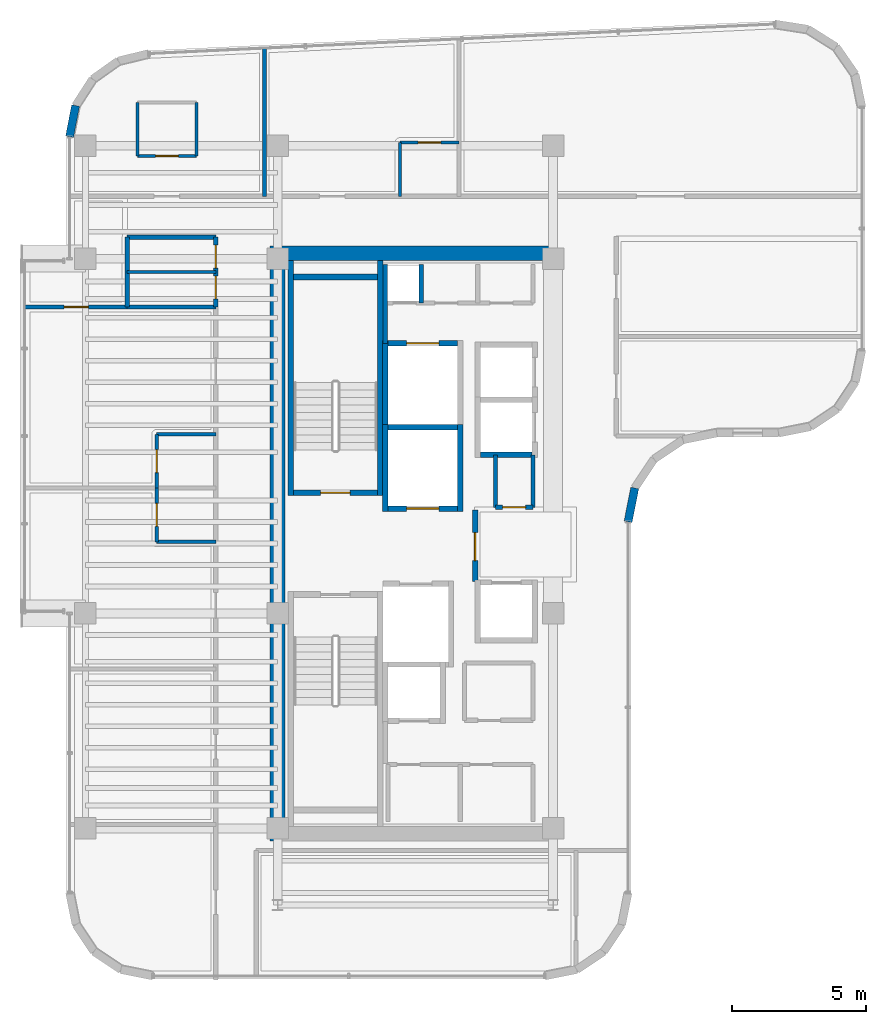
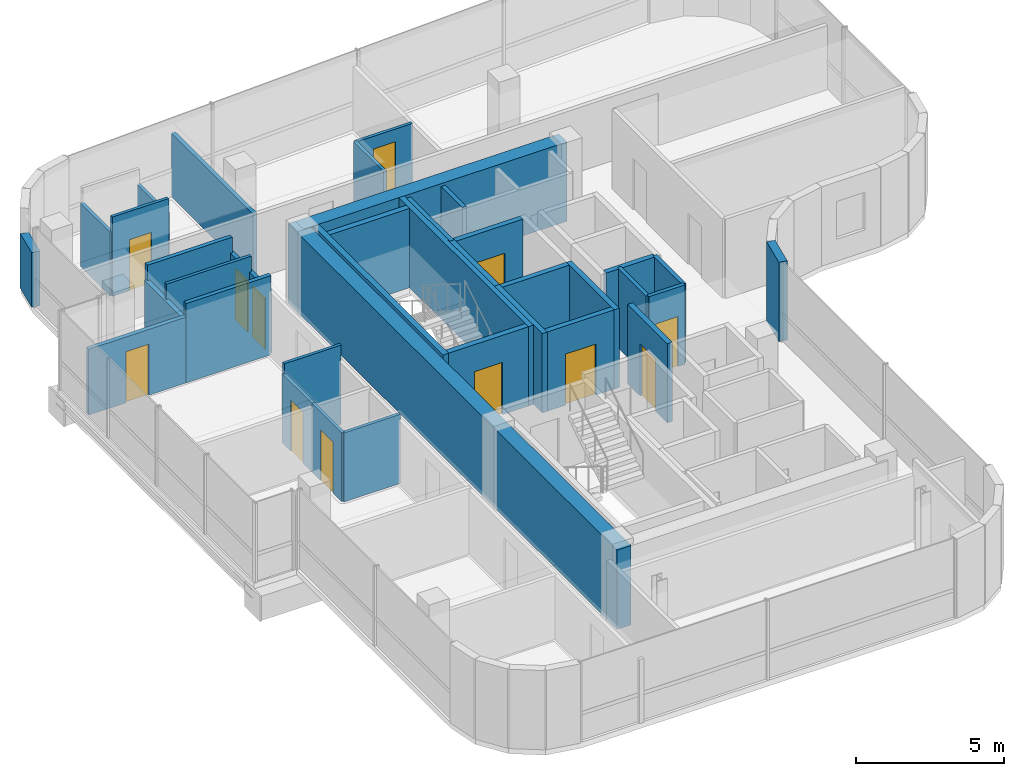
# One storey, part 15 of 20: 37 walls, 12 doors, 12 openings.
"""IFC4 building model written with IfcOpenShell, lengths in metres."""

from ifc_helpers import new_model, si_unit, direction, frame, frame_2d, origin, place, context, subcontext, project, spatial, rectangle, extrude, material, layer, layer_set, type_object, element, fill, save


model = new_model("IFC4")

# Units and contexts
model_context = context("Model", 3, precision=1e-05, world=origin(), true_north=direction((0.0, 1.0)))
body_context = subcontext(model_context, "Body", "Model", "MODEL_VIEW")
ifc_project = project(units=[si_unit("LENGTHUNIT", "METRE"), si_unit("AREAUNIT", "SQUARE_METRE"), si_unit("VOLUMEUNIT", "CUBIC_METRE"), si_unit("PLANEANGLEUNIT", "RADIAN"), si_unit("MASSUNIT", "GRAM", prefix="KILO")], contexts=[model_context])

# Site, building, storey
site_placement = place(None, origin())
site = spatial("IfcSite", under=ifc_project, at=site_placement, CompositionType="ELEMENT")
building_placement = place(site_placement, origin())
building = spatial("IfcBuilding", under=site, at=building_placement, Name="Valdorenza Pilgrim Sanctuary Tower", CompositionType="ELEMENT")
storey_placement = place(building_placement, frame((0.0, 0.0, 280.0)))
storey = spatial("IfcBuildingStorey", under=building, at=storey_placement, Name="L73", CompositionType="ELEMENT", Elevation=280.0)

# Walls
ifc_material_1 = material(Name="Acoustic twin-stud gypsum partition", Category="gypsum")
ifc_layer_1 = layer(ifc_material_1, 0.159912109375, Name="Acoustic twin-stud gypsum partition")
ifc_layer_set_1 = layer_set([ifc_layer_1], Name="Acoustic twin-stud gypsum partition")
wall_type_1 = type_object("IfcWallType", Name="WAL-COR-160", PredefinedType="PARTITIONING", material=ifc_layer_set_1)
wall_1_placement = place(storey_placement, frame((-18.64990234375, 7.449951171875, 0.0), z_axis=(0.0, 0.0, 1.0), x_axis=(0.0, 1.0, 0.0)))
element("IfcWall", 1, at=wall_1_placement, inside=storey, type_object=wall_type_1, Name="L73 Core A North Service West Wall", PredefinedType="PARTITIONING", context=body_context, shape_type="SweptSolid", body=[
    extrude(rectangle(XDim=2.929931640625, YDim=0.159912109375, at=frame_2d((1.46484375, 0.0))), origin(), (0.0, 0.0, 1.0), 3.260009765625),
])
wall_2_placement = place(storey_placement, frame((-17.300048828125, 8.949951171875, 0.0), z_axis=(0.0, 0.0, 1.0), x_axis=(0.0, 1.0, 0.0)))
element("IfcWall", 2, at=wall_2_placement, inside=storey, type_object=wall_type_1, Name="L73 Core Electrical Riser Wall", PredefinedType="PARTITIONING", context=body_context, shape_type="SweptSolid", body=[
    extrude(rectangle(XDim=1.429931640625, YDim=0.159912109375, at=frame_2d((0.71484375, 0.0))), origin(), (0.0, 0.0, 1.0), 3.260009765625),
])
wall_3_placement = place(storey_placement, frame((-13.14990234375, 1.35009765625, 0.0), z_axis=(0.0, 0.0, 1.0), x_axis=(0.0, 1.0, 0.0)))
element("IfcWall", 3, at=wall_3_placement, inside=storey, type_object=wall_type_1, Name="L73 Freed Shaft 6 East Wall", PredefinedType="PARTITIONING", context=body_context, shape_type="SweptSolid", body=[
    extrude(rectangle(XDim=1.949951171875, YDim=0.159912109375, at=frame_2d((0.97509765625, 0.0))), origin(), (0.0, 0.0, 1.0), 3.260009765625),
])
wall_4_placement = place(storey_placement, frame((-28.25, 8.800048828125, 0.0), z_axis=(0.0, 0.0, 1.0), x_axis=(0.0, 1.0, 0.0)))
element("IfcWall", 4, at=wall_4_placement, inside=storey, type_object=wall_type_1, Name="L73 Washroom West Wall", PredefinedType="PARTITIONING", context=body_context, shape_type="SweptSolid", body=[
    extrude(rectangle(XDim=2.599853515625, YDim=0.159912109375, at=frame_2d((1.2998046875, 0.0))), origin(), (0.0, 0.0, 1.0), 2.623046875),
])

# Wall, openings, doors
wall_5_placement = place(storey_placement, frame((-24.949951171875, 8.800048828125, 0.0), z_axis=(0.0, 0.0, 1.0), x_axis=(0.0, 1.0, 0.0)))
wall_5 = element("IfcWall", 5, at=wall_5_placement, inside=storey, type_object=wall_type_1, Name="L73 Washroom East Wall", PredefinedType="PARTITIONING", context=body_context, shape_type="SweptSolid", body=[
    extrude(rectangle(XDim=2.599853515625, YDim=0.159912109375, at=frame_2d((1.2998046875, 0.0))), origin(), (0.0, 0.0, 1.0), 2.623046875),
])
opening_1_placement = place(wall_5_placement, frame((0.300048828125, 0.0, 0.0)))
opening_1 = element("IfcOpeningElement", 6, at=opening_1_placement, cuts=wall_5, Name="Opening DR-WC1", PredefinedType="OPENING", context=body_context, shape_type="SweptSolid", body=[
    extrude(rectangle(XDim=0.85009765625, YDim=2.10009765625, at=frame_2d((0.425048828125, 1.050048828125))), frame((0.0, 0.0947265625, 0.0), z_axis=(0.0, -1.0, 0.0), x_axis=(1.0, 0.0, 0.0)), (0.0, 0.0, 1.0), 0.189697265625),
])
opening_2_placement = place(wall_5_placement, frame((1.449951171875, 0.0, 0.0)))
opening_2 = element("IfcOpeningElement", 7, at=opening_2_placement, cuts=wall_5, Name="Opening DR-WC1", PredefinedType="OPENING", context=body_context, shape_type="SweptSolid", body=[
    extrude(rectangle(XDim=0.85009765625, YDim=2.10009765625, at=frame_2d((0.425048828125, 1.050048828125))), frame((0.0, 0.0947265625, 0.0), z_axis=(0.0, -1.0, 0.0), x_axis=(1.0, 0.0, 0.0)), (0.0, 0.0, 1.0), 0.189697265625),
])
ifc_material_2 = material(Name="Moisture-resistant lacquered timber", Category="wood")
door_type_1 = type_object("IfcDoorType", Name="DR-BATH-850", OperationType="NOTDEFINED", PredefinedType="DOOR", material=ifc_material_2)
door_1_placement = place(opening_1_placement, origin())
door_1 = element("IfcDoor", 8, at=door_1_placement, inside=storey, type_object=door_type_1, Name="L73 Accessible Washroom Door", OperationType="SINGLE_SWING_RIGHT", OverallHeight=2.10009765625, OverallWidth=0.85009765625, PredefinedType="DOOR", context=body_context, shape_type="SweptSolid", body=[
    extrude(rectangle(XDim=0.85009765625, YDim=2.10009765625, at=frame_2d((0.425048828125, 1.050048828125))), frame((0.0, 0.02490234375, 0.0), z_axis=(0.0, -1.0, 0.0), x_axis=(1.0, 0.0, 0.0)), (0.0, 0.0, 1.0), 0.050048828125),
])
fill(opening_1, door_1)
door_2_placement = place(opening_2_placement, origin())
door_2 = element("IfcDoor", 9, at=door_2_placement, inside=storey, type_object=door_type_1, Name="L73 Public Washroom Door", OperationType="SINGLE_SWING_LEFT", OverallHeight=2.10009765625, OverallWidth=0.85009765625, PredefinedType="DOOR", context=body_context, shape_type="SweptSolid", body=[
    extrude(rectangle(XDim=0.85009765625, YDim=2.10009765625, at=frame_2d((0.425048828125, 1.050048828125))), frame((0.0, 0.02490234375, 0.0), z_axis=(0.0, -1.0, 0.0), x_axis=(1.0, 0.0, 0.0)), (0.0, 0.0, 1.0), 0.050048828125),
])
fill(opening_2, door_2)

# Walls
for number, where, z_axis, x_axis, name in (
    (10, (-28.25, 8.800048828125, 0.0), (0.0, 0.0, 1.0), (1.0, 0.0, 0.0), "L73 Washroom South Wall"),
    (11, (-28.25, 11.39990234375, 0.0), (0.0, 0.0, 1.0), (1.0, 0.0, 0.0), "L73 Washroom North Wall"),
):
    element("IfcWall", number, at=place(storey_placement, frame(where, z_axis=z_axis, x_axis=x_axis)), inside=storey, type_object=wall_type_1, Name=name, PredefinedType="PARTITIONING", context=body_context, shape_type="SweptSolid", body=[
        extrude(rectangle(XDim=3.300048828125, YDim=0.159912109375, at=frame_2d((1.64990234375, 0.0))), origin(), (0.0, 0.0, 1.0), 3.260009765625),
    ])

# Wall, opening, door
wall_6_placement = place(storey_placement, frame((-32.0400390625, 8.800048828125, 0.0), z_axis=(0.0, 0.0, 1.0), x_axis=(1.0, 0.0, 0.0)))
wall_6 = element("IfcWall", 12, at=wall_6_placement, inside=storey, type_object=wall_type_1, Name="L73 West North Alcove Wall", PredefinedType="PARTITIONING", context=body_context, shape_type="SweptSolid", body=[
    extrude(rectangle(XDim=3.7900390625, YDim=0.159912109375, at=frame_2d((1.89501953125, 0.0))), origin(), (0.0, 0.0, 1.0), 2.7060546875),
])
opening_3_placement = place(wall_6_placement, frame((1.445068359375, 0.0, 0.0)))
opening_3 = element("IfcOpeningElement", 13, at=opening_3_placement, cuts=wall_6, Name="Opening DR-RM1", PredefinedType="OPENING", context=body_context, shape_type="SweptSolid", body=[
    extrude(rectangle(XDim=0.89990234375, YDim=2.10009765625, at=frame_2d((0.449951171875, 1.050048828125))), frame((0.0, 0.0947265625, 0.0), z_axis=(0.0, -1.0, 0.0), x_axis=(1.0, 0.0, 0.0)), (0.0, 0.0, 1.0), 0.189697265625),
])
ifc_material_3 = material(Name="Solid-core European oak timber", Category="wood")
door_type_2 = type_object("IfcDoorType", Name="DR-ROOM-900", OperationType="NOTDEFINED", PredefinedType="DOOR", material=ifc_material_3)
door_3_placement = place(opening_3_placement, origin())
door_3 = element("IfcDoor", 14, at=door_3_placement, inside=storey, type_object=door_type_2, Name="L73 Pilgrim Scholar Office L73-WN Door", OperationType="SINGLE_SWING_RIGHT", OverallHeight=2.10009765625, OverallWidth=0.89990234375, PredefinedType="DOOR", context=body_context, shape_type="SweptSolid", body=[
    extrude(rectangle(XDim=0.89990234375, YDim=2.10009765625, at=frame_2d((0.449951171875, 1.050048828125))), frame((0.0, 0.02490234375, 0.0), z_axis=(0.0, -1.0, 0.0), x_axis=(1.0, 0.0, 0.0)), (0.0, 0.0, 1.0), 0.050048828125),
])
fill(opening_3, door_3)

# Walls
ifc_material_4 = material(Name="Concrete C50/60", Category="concrete")
ifc_layer_2 = layer(ifc_material_4, 0.550048828125, Name="Concrete C50/60")
ifc_layer_set_2 = layer_set([ifc_layer_2], Name="Concrete C50/60")
wall_type_2 = type_object("IfcWallType", Name="WAL-COR-550", PredefinedType="SHEAR", material=ifc_layer_set_2)
wall_7_placement = place(storey_placement, frame((-22.64990234375, -11.074951171875, 0.0), z_axis=(0.0, 0.0, 1.0), x_axis=(0.0, 1.0, 0.0)))
element("IfcWall", 15, at=wall_7_placement, inside=storey, type_object=wall_type_2, Name="L73 Split Core A Shear Wall W", PredefinedType="SHEAR", context=body_context, shape_type="SweptSolid", body=[
    extrude(rectangle(XDim=22.14990234375, YDim=0.550048828125, at=frame_2d((11.074951171875, 0.0))), origin(), (0.0, 0.0, 1.0), 3.260009765625),
])
wall_8_placement = place(storey_placement, frame((-22.64990234375, 10.800048828125, 0.0), z_axis=(0.0, 0.0, 1.0), x_axis=(1.0, 0.0, 0.0)))
element("IfcWall", 16, at=wall_8_placement, inside=storey, type_object=wall_type_2, Name="L73 Split Core A Shear Wall N", PredefinedType="SHEAR", context=body_context, shape_type="SweptSolid", body=[
    extrude(rectangle(XDim=10.25, YDim=0.550048828125, at=frame_2d((5.125, 0.0))), origin(), (0.0, 0.0, 1.0), 3.260009765625),
])
ifc_material_5 = material(Name="Honed travertine limestone", Category="masonry")
ifc_layer_3 = layer(ifc_material_5, 0.300048828125, Name="Honed travertine limestone")
ifc_layer_set_3 = layer_set([ifc_layer_3], Name="Honed travertine limestone")
wall_type_3 = type_object("IfcWallType", Name="WAL-EXT-300", PredefinedType="SOLIDWALL", material=ifc_layer_set_3)
wall_9_placement = place(storey_placement, frame((-30.389892578125, 15.13671875, 0.0), z_axis=(0.0, 0.0, 1.0), x_axis=(0.189307792679, 0.981917796779, 0.0)))
element("IfcWall", 17, at=wall_9_placement, inside=storey, type_object=wall_type_3, Name="L73 Rounded Wind-Corner Stone Pier 2", PredefinedType="SOLIDWALL", context=body_context, shape_type="SweptSolid", body=[
    extrude(rectangle(XDim=1.179931640625, YDim=0.300048828125, at=frame_2d((0.58984375, 0.0))), origin(), (0.0, 0.0, 1.0), 2.2451171875),
])
wall_10_placement = place(storey_placement, frame((-9.360107421875, 2.0673828125, 0.0), z_axis=(0.0, 0.0, 1.0), x_axis=(-0.195126623715, -0.980778058848, 0.0)))
element("IfcWall", 18, at=wall_10_placement, inside=storey, type_object=wall_type_3, Name="L73 Rounded Wind-Corner Stone Pier 20", PredefinedType="SOLIDWALL", context=body_context, shape_type="SweptSolid", body=[
    extrude(rectangle(XDim=1.28125, YDim=0.300048828125, at=frame_2d((0.640625, 0.0))), origin(), (0.0, 0.0, 1.0), 3.260009765625),
])

# Wall, opening, door
ifc_material_6 = material(Name="Gypsum shaftwall partition", Category="gypsum")
ifc_layer_4 = layer(ifc_material_6, 0.199951171875, Name="Gypsum shaftwall partition")
ifc_layer_set_4 = layer_set([ifc_layer_4], Name="Gypsum shaftwall partition")
wall_type_4 = type_object("IfcWallType", Name="WAL-FFL-200", PredefinedType="PARTITIONING", material=ifc_layer_set_4)
wall_11_placement = place(storey_placement, frame((-15.300048828125, -1.419921875, 0.0), z_axis=(0.0, 0.0, 1.0), x_axis=(0.0, 1.0, 0.0)))
wall_11 = element("IfcWall", 19, at=wall_11_placement, inside=storey, type_object=wall_type_4, Name="L73 Core A Firefighting Lobby East Wall", PredefinedType="PARTITIONING", context=body_context, shape_type="SweptSolid", body=[
    extrude(rectangle(XDim=2.669921875, YDim=0.199951171875, at=frame_2d((1.3349609375, 0.0))), origin(), (0.0, 0.0, 1.0), 3.260009765625),
])
opening_4_placement = place(wall_11_placement, frame((0.780029296875, 0.0, 0.0)))
opening_4 = element("IfcOpeningElement", 20, at=opening_4_placement, cuts=wall_11, Name="Opening DR-FL1", PredefinedType="OPENING", context=body_context, shape_type="SweptSolid", body=[
    extrude(rectangle(XDim=1.050048828125, YDim=2.14990234375, at=frame_2d((0.52490234375, 1.074951171875))), frame((0.0, 0.11474609375, 0.0), z_axis=(0.0, -1.0, 0.0), x_axis=(1.0, 0.0, 0.0)), (0.0, 0.0, 1.0), 0.229736328125),
])
ifc_material_7 = material(Name="Painted galvanized steel", Category="steel")
door_type_3 = type_object("IfcDoorType", Name="DR-FFL-1050", OperationType="NOTDEFINED", PredefinedType="DOOR", material=ifc_material_7)
door_4_placement = place(opening_4_placement, origin())
door_4 = element("IfcDoor", 21, at=door_4_placement, inside=storey, type_object=door_type_3, Name="L73 Core A Firefighting Lobby Door", OperationType="SINGLE_SWING_RIGHT", OverallHeight=2.14990234375, OverallWidth=1.050048828125, PredefinedType="DOOR", context=body_context, shape_type="SweptSolid", body=[
    extrude(rectangle(XDim=1.050048828125, YDim=2.14990234375, at=frame_2d((0.52490234375, 1.074951171875))), frame((0.0, 0.02490234375, 0.0), z_axis=(0.0, -1.0, 0.0), x_axis=(1.0, 0.0, 0.0)), (0.0, 0.0, 1.0), 0.050048828125),
])
fill(opening_4, door_4)

# Walls
ifc_material_8 = material(Name="Moisture-resistant gypsum partition", Category="gypsum")
ifc_layer_5 = layer(ifc_material_8, 0.1201171875, Name="Moisture-resistant gypsum partition")
ifc_layer_set_5 = layer_set([ifc_layer_5], Name="Moisture-resistant gypsum partition")
wall_type_5 = type_object("IfcWallType", Name="WAL-INT-120", PredefinedType="PARTITIONING", material=ifc_layer_set_5)
wall_12_placement = place(storey_placement, frame((-28.25, 10.10009765625, 0.0), z_axis=(0.0, 0.0, 1.0), x_axis=(1.0, 0.0, 0.0)))
element("IfcWall", 22, at=wall_12_placement, inside=storey, type_object=wall_type_5, Name="L73 Washroom Divider Wall", PredefinedType="PARTITIONING", context=body_context, shape_type="SweptSolid", body=[
    extrude(rectangle(XDim=3.300048828125, YDim=0.1201171875, at=frame_2d((1.64990234375, 0.0))), origin(), (0.0, 0.0, 1.0), 3.260009765625),
])
wall_13_placement = place(storey_placement, frame((-27.14990234375, 0.06494140625, 0.0), z_axis=(0.0, 0.0, 1.0), x_axis=(1.0, 0.0, 0.0)))
element("IfcWall", 23, at=wall_13_placement, inside=storey, type_object=wall_type_5, Name="L73 Pilgrim Guest Room L73-GW1A En-suite South Wall", PredefinedType="PARTITIONING", context=body_context, shape_type="SweptSolid", body=[
    extrude(rectangle(XDim=2.199951171875, YDim=0.1201171875, at=frame_2d((1.10009765625, 0.0))), origin(), (0.0, 0.0, 1.0), 2.839111328125),
])

# Wall, opening, door
wall_14_placement = place(storey_placement, frame((-27.14990234375, 0.06494140625, 0.0), z_axis=(0.0, 0.0, 1.0), x_axis=(0.0, 1.0, 0.0)))
wall_14 = element("IfcWall", 24, at=wall_14_placement, inside=storey, type_object=wall_type_5, Name="L73 Pilgrim Guest Room L73-GW1A En-suite Door Wall", PredefinedType="PARTITIONING", context=body_context, shape_type="SweptSolid", body=[
    extrude(rectangle(XDim=2.0, YDim=0.1201171875, at=frame_2d((1.0, 0.0))), origin(), (0.0, 0.0, 1.0), 2.839111328125),
])
opening_5_placement = place(wall_14_placement, frame((0.574951171875, 0.0, 0.0)))
opening_5 = element("IfcOpeningElement", 25, at=opening_5_placement, cuts=wall_14, Name="Opening DR-WC1", PredefinedType="OPENING", context=body_context, shape_type="SweptSolid", body=[
    extrude(rectangle(XDim=0.85009765625, YDim=2.10009765625, at=frame_2d((0.425048828125, 1.050048828125))), frame((0.0, 0.074951171875, 0.0), z_axis=(0.0, -1.0, 0.0), x_axis=(1.0, 0.0, 0.0)), (0.0, 0.0, 1.0), 0.14990234375),
])
door_5_placement = place(opening_5_placement, origin())
door_5 = element("IfcDoor", 26, at=door_5_placement, inside=storey, type_object=door_type_1, Name="L73 Pilgrim Guest Room L73-GW1A En-suite Bathroom Door", OperationType="SINGLE_SWING_RIGHT", OverallHeight=2.10009765625, OverallWidth=0.85009765625, PredefinedType="DOOR", context=body_context, shape_type="SweptSolid", body=[
    extrude(rectangle(XDim=0.85009765625, YDim=2.10009765625, at=frame_2d((0.425048828125, 1.050048828125))), frame((0.0, 0.02490234375, 0.0), z_axis=(0.0, -1.0, 0.0), x_axis=(1.0, 0.0, 0.0)), (0.0, 0.0, 1.0), 0.050048828125),
])
fill(opening_5, door_5)

# Wall
wall_15_placement = place(storey_placement, frame((-27.14990234375, 4.06494140625, 0.0), z_axis=(0.0, 0.0, 1.0), x_axis=(1.0, 0.0, 0.0)))
element("IfcWall", 27, at=wall_15_placement, inside=storey, type_object=wall_type_5, Name="L73 Pilgrim Guest Room L73-GW1B En-suite North Wall", PredefinedType="PARTITIONING", context=body_context, shape_type="SweptSolid", body=[
    extrude(rectangle(XDim=2.199951171875, YDim=0.1201171875, at=frame_2d((1.10009765625, 0.0))), origin(), (0.0, 0.0, 1.0), 3.260009765625),
])

# Wall, opening, door
wall_16_placement = place(storey_placement, frame((-27.14990234375, 2.06494140625, 0.0), z_axis=(0.0, 0.0, 1.0), x_axis=(0.0, 1.0, 0.0)))
wall_16 = element("IfcWall", 28, at=wall_16_placement, inside=storey, type_object=wall_type_5, Name="L73 Pilgrim Guest Room L73-GW1B En-suite Door Wall", PredefinedType="PARTITIONING", context=body_context, shape_type="SweptSolid", body=[
    extrude(rectangle(XDim=2.0, YDim=0.1201171875, at=frame_2d((1.0, 0.0))), origin(), (0.0, 0.0, 1.0), 2.839111328125),
])
opening_6_placement = place(wall_16_placement, frame((0.574951171875, 0.0, 0.0)))
opening_6 = element("IfcOpeningElement", 29, at=opening_6_placement, cuts=wall_16, Name="Opening DR-WC1", PredefinedType="OPENING", context=body_context, shape_type="SweptSolid", body=[
    extrude(rectangle(XDim=0.85009765625, YDim=2.10009765625, at=frame_2d((0.425048828125, 1.050048828125))), frame((0.0, 0.074951171875, 0.0), z_axis=(0.0, -1.0, 0.0), x_axis=(1.0, 0.0, 0.0)), (0.0, 0.0, 1.0), 0.14990234375),
])
door_6_placement = place(opening_6_placement, origin())
door_6 = element("IfcDoor", 30, at=door_6_placement, inside=storey, type_object=door_type_1, Name="L73 Pilgrim Guest Room L73-GW1B En-suite Bathroom Door", OperationType="SINGLE_SWING_RIGHT", OverallHeight=2.10009765625, OverallWidth=0.85009765625, PredefinedType="DOOR", context=body_context, shape_type="SweptSolid", body=[
    extrude(rectangle(XDim=0.85009765625, YDim=2.10009765625, at=frame_2d((0.425048828125, 1.050048828125))), frame((0.0, 0.02490234375, 0.0), z_axis=(0.0, -1.0, 0.0), x_axis=(1.0, 0.0, 0.0)), (0.0, 0.0, 1.0), 0.050048828125),
])
fill(opening_6, door_6)

# Walls
for number, where, z_axis, x_axis, name in (
    (31, (-27.867431640625, 14.419921875, 0.0), (0.0, 0.0, 1.0), (0.0, 1.0, 0.0), "L73 North Grand Guest Room L73-N1A En-suite West Wall"),
    (32, (-25.66748046875, 14.419921875, 0.0), (0.0, 0.0, 1.0), (0.0, 1.0, 0.0), "L73 North Grand Guest Room L73-N1A En-suite East Wall"),
):
    element("IfcWall", number, at=place(storey_placement, frame(where, z_axis=z_axis, x_axis=x_axis)), inside=storey, type_object=wall_type_5, Name=name, PredefinedType="PARTITIONING", context=body_context, shape_type="SweptSolid", body=[
        extrude(rectangle(XDim=1.986083984375, YDim=0.1201171875, at=frame_2d((0.9931640625, 0.0))), origin(), (0.0, 0.0, 1.0), 2.623046875),
    ])

# Wall, opening, door
wall_17_placement = place(storey_placement, frame((-27.867431640625, 14.419921875, 0.0), z_axis=(0.0, 0.0, 1.0), x_axis=(1.0, 0.0, 0.0)))
wall_17 = element("IfcWall", 33, at=wall_17_placement, inside=storey, type_object=wall_type_5, Name="L73 North Grand Guest Room L73-N1A En-suite Door Wall", PredefinedType="PARTITIONING", context=body_context, shape_type="SweptSolid", body=[
    extrude(rectangle(XDim=2.199951171875, YDim=0.1201171875, at=frame_2d((1.10009765625, 0.0))), origin(), (0.0, 0.0, 1.0), 3.260009765625),
])
opening_7_placement = place(wall_17_placement, frame((0.675048828125, 0.0, 0.0)))
opening_7 = element("IfcOpeningElement", 34, at=opening_7_placement, cuts=wall_17, Name="Opening DR-WC1", PredefinedType="OPENING", context=body_context, shape_type="SweptSolid", body=[
    extrude(rectangle(XDim=0.85009765625, YDim=2.10009765625, at=frame_2d((0.425048828125, 1.050048828125))), frame((0.0, 0.074951171875, 0.0), z_axis=(0.0, -1.0, 0.0), x_axis=(1.0, 0.0, 0.0)), (0.0, 0.0, 1.0), 0.14990234375),
])
door_7_placement = place(opening_7_placement, origin())
door_7 = element("IfcDoor", 35, at=door_7_placement, inside=storey, type_object=door_type_1, Name="L73 North Grand Guest Room L73-N1A En-suite Bathroom Door", OperationType="SINGLE_SWING_LEFT", OverallHeight=2.10009765625, OverallWidth=0.85009765625, PredefinedType="DOOR", context=body_context, shape_type="SweptSolid", body=[
    extrude(rectangle(XDim=0.85009765625, YDim=2.10009765625, at=frame_2d((0.425048828125, 1.050048828125))), frame((0.0, 0.02490234375, 0.0), z_axis=(0.0, -1.0, 0.0), x_axis=(1.0, 0.0, 0.0)), (0.0, 0.0, 1.0), 0.050048828125),
])
fill(opening_7, door_7)

# Wall
wall_18_placement = place(storey_placement, frame((-18.10009765625, 12.919921875, 0.0), z_axis=(0.0, 0.0, 1.0), x_axis=(0.0, 1.0, 0.0)))
element("IfcWall", 36, at=wall_18_placement, inside=storey, type_object=wall_type_5, Name="L73 North Grand Guest Room L73-N1B En-suite West Wall", PredefinedType="PARTITIONING", context=body_context, shape_type="SweptSolid", body=[
    extrude(rectangle(XDim=2.0, YDim=0.1201171875, at=frame_2d((1.0, 0.0))), origin(), (0.0, 0.0, 1.0), 2.623046875),
])

# Wall, opening, door
wall_19_placement = place(storey_placement, frame((-18.10009765625, 14.919921875, 0.0), z_axis=(0.0, 0.0, 1.0), x_axis=(1.0, 0.0, 0.0)))
wall_19 = element("IfcWall", 37, at=wall_19_placement, inside=storey, type_object=wall_type_5, Name="L73 North Grand Guest Room L73-N1B En-suite Door Wall", PredefinedType="PARTITIONING", context=body_context, shape_type="SweptSolid", body=[
    extrude(rectangle(XDim=2.2001953125, YDim=0.1201171875, at=frame_2d((1.10009765625, 0.0))), origin(), (0.0, 0.0, 1.0), 2.623046875),
])
opening_8_placement = place(wall_19_placement, frame((0.675048828125, 0.0, 0.0)))
opening_8 = element("IfcOpeningElement", 38, at=opening_8_placement, cuts=wall_19, Name="Opening DR-WC1", PredefinedType="OPENING", context=body_context, shape_type="SweptSolid", body=[
    extrude(rectangle(XDim=0.85009765625, YDim=2.10009765625, at=frame_2d((0.425048828125, 1.050048828125))), frame((0.0, 0.074951171875, 0.0), z_axis=(0.0, -1.0, 0.0), x_axis=(1.0, 0.0, 0.0)), (0.0, 0.0, 1.0), 0.14990234375),
])
door_8_placement = place(opening_8_placement, origin())
door_8 = element("IfcDoor", 39, at=door_8_placement, inside=storey, type_object=door_type_1, Name="L73 North Grand Guest Room L73-N1B En-suite Bathroom Door", OperationType="SINGLE_SWING_LEFT", OverallHeight=2.10009765625, OverallWidth=0.85009765625, PredefinedType="DOOR", context=body_context, shape_type="SweptSolid", body=[
    extrude(rectangle(XDim=0.85009765625, YDim=2.10009765625, at=frame_2d((0.425048828125, 1.050048828125))), frame((0.0, 0.02490234375, 0.0), z_axis=(0.0, -1.0, 0.0), x_axis=(1.0, 0.0, 0.0)), (0.0, 0.0, 1.0), 0.050048828125),
])
fill(opening_8, door_8)

# Walls
ifc_material_9 = material(Name="Autoclaved aerated concrete blockwork", Category="masonry")
ifc_layer_6 = layer(ifc_material_9, 0.199951171875, Name="Autoclaved aerated concrete blockwork")
ifc_layer_set_6 = layer_set([ifc_layer_6], Name="Autoclaved aerated concrete blockwork")
wall_type_6 = type_object("IfcWallType", Name="WAL-SHF-200", PredefinedType="MOVABLE", material=ifc_layer_set_6)
for number, where, z_axis, x_axis, name in (
    (40, (-18.64990234375, 1.199951171875, 0.0), (0.0, 0.0, 1.0), (0.0, 1.0, 0.0), "L73 Lift FFL-01 Hoistway Wall West"),
    (41, (-15.85009765625, 1.199951171875, 0.0), (0.0, 0.0, 1.0), (0.0, 1.0, 0.0), "L73 Lift FFL-01 Hoistway Wall East"),
):
    element("IfcWall", number, at=place(storey_placement, frame(where, z_axis=z_axis, x_axis=x_axis)), inside=storey, type_object=wall_type_6, Name=name, PredefinedType="MOVABLE", context=body_context, shape_type="SweptSolid", body=[
        extrude(rectangle(XDim=3.22509765625, YDim=0.199951171875, at=frame_2d((1.612548828125, 0.0))), origin(), (0.0, 0.0, 1.0), 3.260009765625),
    ])

# Wall, opening, door
wall_20_placement = place(storey_placement, frame((-18.550048828125, 1.300048828125, 0.0), z_axis=(0.0, 0.0, 1.0), x_axis=(1.0, 0.0, 0.0)))
wall_20 = element("IfcWall", 42, at=wall_20_placement, inside=storey, type_object=wall_type_6, Name="L73 Lift FFL-01 Hoistway Wall South", PredefinedType="MOVABLE", context=body_context, shape_type="SweptSolid", body=[
    extrude(rectangle(XDim=2.60009765625, YDim=0.199951171875, at=frame_2d((1.300048828125, 0.0))), origin(), (0.0, 0.0, 1.0), 3.260009765625),
])
opening_9_placement = place(wall_20_placement, frame((0.699951171875, 0.0, 0.0)))
opening_9 = element("IfcOpeningElement", 43, at=opening_9_placement, cuts=wall_20, Name="Opening LD-02", PredefinedType="OPENING", context=body_context, shape_type="SweptSolid", body=[
    extrude(rectangle(XDim=1.199951171875, YDim=2.10009765625, at=frame_2d((0.60009765625, 1.050048828125))), frame((0.0, 0.11474609375, 0.0), z_axis=(0.0, -1.0, 0.0), x_axis=(1.0, 0.0, 0.0)), (0.0, 0.0, 1.0), 0.229736328125),
])
ifc_material_10 = material(Name="Brushed stainless steel Grade 316", Category="steel")
door_type_4 = type_object("IfcDoorType", Name="DR-LFT-1200", OperationType="DOUBLE_DOOR_SLIDING", PredefinedType="DOOR", material=ifc_material_10)
door_9_placement = place(opening_9_placement, origin())
door_9 = element("IfcDoor", 44, at=door_9_placement, inside=storey, type_object=door_type_4, Name="L73 Lift FFL-01 Sliding Landing Door", OperationType="DOUBLE_DOOR_SLIDING", OverallHeight=2.10009765625, OverallWidth=1.199951171875, PredefinedType="DOOR", context=body_context, shape_type="SweptSolid", body=[
    extrude(rectangle(XDim=1.199951171875, YDim=2.10009765625, at=frame_2d((0.60009765625, 1.050048828125))), frame((0.0, 0.02490234375, 0.0), z_axis=(0.0, -1.0, 0.0), x_axis=(1.0, 0.0, 0.0)), (0.0, 0.0, 1.0), 0.050048828125),
])
fill(opening_9, door_9)

# Walls
wall_21_placement = place(storey_placement, frame((-18.550048828125, 4.324951171875, 0.0), z_axis=(0.0, 0.0, 1.0), x_axis=(1.0, 0.0, 0.0)))
element("IfcWall", 45, at=wall_21_placement, inside=storey, type_object=wall_type_6, Name="L73 Lift FFL-01 Hoistway Wall North", PredefinedType="MOVABLE", context=body_context, shape_type="SweptSolid", body=[
    extrude(rectangle(XDim=2.60009765625, YDim=0.199951171875, at=frame_2d((1.300048828125, 0.0))), origin(), (0.0, 0.0, 1.0), 3.260009765625),
])
wall_22_placement = place(storey_placement, frame((-18.64990234375, 4.22509765625, 0.0), z_axis=(0.0, 0.0, 1.0), x_axis=(0.0, 1.0, 0.0)))
element("IfcWall", 46, at=wall_22_placement, inside=storey, type_object=wall_type_6, Name="L73 Lift SVL-01 Hoistway Wall West", PredefinedType="MOVABLE", context=body_context, shape_type="SweptSolid", body=[
    extrude(rectangle(XDim=3.324951171875, YDim=0.199951171875, at=frame_2d((1.66259765625, 0.0))), origin(), (0.0, 0.0, 1.0), 3.260009765625),
])

# Wall, opening, door
wall_23_placement = place(storey_placement, frame((-18.550048828125, 7.449951171875, 0.0), z_axis=(0.0, 0.0, 1.0), x_axis=(1.0, 0.0, 0.0)))
wall_23 = element("IfcWall", 47, at=wall_23_placement, inside=storey, type_object=wall_type_6, Name="L73 Lift SVL-01 Hoistway Wall North", PredefinedType="MOVABLE", context=body_context, shape_type="SweptSolid", body=[
    extrude(rectangle(XDim=2.60009765625, YDim=0.199951171875, at=frame_2d((1.300048828125, 0.0))), origin(), (0.0, 0.0, 1.0), 3.260009765625),
])
opening_10_placement = place(wall_23_placement, frame((0.699951171875, 0.0, 0.0)))
opening_10 = element("IfcOpeningElement", 48, at=opening_10_placement, cuts=wall_23, Name="Opening LD-02", PredefinedType="OPENING", context=body_context, shape_type="SweptSolid", body=[
    extrude(rectangle(XDim=1.199951171875, YDim=2.10009765625, at=frame_2d((0.60009765625, 1.050048828125))), frame((0.0, 0.11474609375, 0.0), z_axis=(0.0, -1.0, 0.0), x_axis=(1.0, 0.0, 0.0)), (0.0, 0.0, 1.0), 0.229736328125),
])
door_10_placement = place(opening_10_placement, origin())
door_10 = element("IfcDoor", 49, at=door_10_placement, inside=storey, type_object=door_type_4, Name="L73 Lift SVL-01 Sliding Landing Door", OperationType="DOUBLE_DOOR_SLIDING", OverallHeight=2.10009765625, OverallWidth=1.199951171875, PredefinedType="DOOR", context=body_context, shape_type="SweptSolid", body=[
    extrude(rectangle(XDim=1.199951171875, YDim=2.10009765625, at=frame_2d((0.60009765625, 1.050048828125))), frame((0.0, 0.02490234375, 0.0), z_axis=(0.0, -1.0, 0.0), x_axis=(1.0, 0.0, 0.0)), (0.0, 0.0, 1.0), 0.050048828125),
])
fill(opening_10, door_10)

# Walls
wall_24_placement = place(storey_placement, frame((-15.10009765625, 3.300048828125, 0.0), z_axis=(0.0, 0.0, 1.0), x_axis=(1.0, 0.0, 0.0)))
element("IfcWall", 50, at=wall_24_placement, inside=storey, type_object=wall_type_6, Name="L73 Lift PL-09 Hoistway Wall South", PredefinedType="MOVABLE", context=body_context, shape_type="SweptSolid", body=[
    extrude(rectangle(XDim=1.920166015625, YDim=0.199951171875, at=frame_2d((0.9599609375, 0.0))), origin(), (0.0, 0.0, 1.0), 3.260009765625),
])
ifc_material_11 = material(Name="Concrete C40/50", Category="concrete")
ifc_layer_7 = layer(ifc_material_11, 0.219970703125, Name="Concrete C40/50")
ifc_layer_set_7 = layer_set([ifc_layer_7], Name="Concrete C40/50")
wall_type_7 = type_object("IfcWallType", Name="WAL-STR-SHF-220", PredefinedType="SHEAR", material=ifc_layer_set_7)
for number, where, z_axis, x_axis, name in (
    (51, (-22.159912109375, 1.780029296875, 0.0), (0.0, 0.0, 1.0), (0.0, 1.0, 0.0), "L73 ST-A1 Structural Stairwell Wall W"),
    (52, (-18.830078125, 1.780029296875, 0.0), (0.0, 0.0, 1.0), (0.0, 1.0, 0.0), "L73 ST-A1 Structural Stairwell Wall E"),
):
    element("IfcWall", number, at=place(storey_placement, frame(where, z_axis=z_axis, x_axis=x_axis)), inside=storey, type_object=wall_type_7, Name=name, PredefinedType="SHEAR", context=body_context, shape_type="SweptSolid", body=[
        extrude(rectangle(XDim=8.744873046875, YDim=0.219970703125, at=frame_2d((4.37255859375, 0.0))), origin(), (0.0, 0.0, 1.0), 3.260009765625),
    ])

# Wall, opening, door
wall_25_placement = place(storey_placement, frame((-22.050048828125, 1.889892578125, 0.0), z_axis=(0.0, 0.0, 1.0), x_axis=(1.0, 0.0, 0.0)))
wall_25 = element("IfcWall", 53, at=wall_25_placement, inside=storey, type_object=wall_type_7, Name="L73 ST-A1 Structural Stairwell Wall S", PredefinedType="SHEAR", context=body_context, shape_type="SweptSolid", body=[
    extrude(rectangle(XDim=3.110107421875, YDim=0.219970703125, at=frame_2d((1.55517578125, 0.0))), origin(), (0.0, 0.0, 1.0), 3.260009765625),
])
opening_11_placement = place(wall_25_placement, frame((1.0, 0.0, 0.0)))
opening_11 = element("IfcOpeningElement", 54, at=opening_11_placement, cuts=wall_25, Name="Opening DR-ST1", PredefinedType="OPENING", context=body_context, shape_type="SweptSolid", body=[
    extrude(rectangle(XDim=1.10009765625, YDim=2.14990234375, at=frame_2d((0.550048828125, 1.074951171875))), frame((0.0, 0.125, 0.0), z_axis=(0.0, -1.0, 0.0), x_axis=(1.0, 0.0, 0.0)), (0.0, 0.0, 1.0), 0.249755859375),
])
door_type_5 = type_object("IfcDoorType", Name="DR-STAIR-1100", OperationType="NOTDEFINED", PredefinedType="DOOR", material=ifc_material_7)
door_11_placement = place(opening_11_placement, frame((1.10009765625, 0.0, 0.0), z_axis=(0.0, 0.0, 1.0), x_axis=(-1.0, 0.0, 0.0)))
door_11 = element("IfcDoor", 55, at=door_11_placement, inside=storey, type_object=door_type_5, Name="L73 Exit Stair ST-A1 Door", OperationType="SINGLE_SWING_LEFT", OverallHeight=2.14990234375, OverallWidth=1.10009765625, PredefinedType="DOOR", context=body_context, shape_type="SweptSolid", body=[
    extrude(rectangle(XDim=1.10009765625, YDim=2.14990234375, at=frame_2d((0.550048828125, 1.074951171875))), frame((0.0, 0.02490234375, 0.0), z_axis=(0.0, -1.0, 0.0), x_axis=(1.0, 0.0, 0.0)), (0.0, 0.0, 1.0), 0.050048828125),
])
fill(opening_11, door_11)

# Walls
wall_26_placement = place(storey_placement, frame((-22.050048828125, 9.909912109375, 0.0), z_axis=(0.0, 0.0, 1.0), x_axis=(1.0, 0.0, 0.0)))
element("IfcWall", 56, at=wall_26_placement, inside=storey, type_object=wall_type_7, Name="L73 ST-A1 Structural Stairwell Wall N", PredefinedType="SHEAR", context=body_context, shape_type="SweptSolid", body=[
    extrude(rectangle(XDim=3.110107421875, YDim=0.219970703125, at=frame_2d((1.55517578125, 0.0))), origin(), (0.0, 0.0, 1.0), 3.260009765625),
])
ifc_layer_8 = layer(ifc_material_1, 0.14990234375, Name="Acoustic twin-stud gypsum partition")
ifc_layer_set_8 = layer_set([ifc_layer_8], Name="Acoustic twin-stud gypsum partition")
wall_type_8 = type_object("IfcWallType", Name="WAL-UNT-150", PredefinedType="PARTITIONING", material=ifc_layer_set_8)
wall_27_placement = place(storey_placement, frame((-14.550048828125, 1.35009765625, 0.0), z_axis=(0.0, 0.0, 1.0), x_axis=(0.0, 1.0, 0.0)))
element("IfcWall", 57, at=wall_27_placement, inside=storey, type_object=wall_type_8, Name="L73 Freed Shaft 6 West Wall", PredefinedType="PARTITIONING", context=body_context, shape_type="SweptSolid", body=[
    extrude(rectangle(XDim=1.949951171875, YDim=0.14990234375, at=frame_2d((0.97509765625, 0.0))), origin(), (0.0, 0.0, 1.0), 3.260009765625),
])

# Wall, opening, door
wall_28_placement = place(storey_placement, frame((-14.550048828125, 1.35009765625, 0.0), z_axis=(0.0, 0.0, 1.0), x_axis=(1.0, 0.0, 0.0)))
wall_28 = element("IfcWall", 58, at=wall_28_placement, inside=storey, type_object=wall_type_8, Name="L73 Freed Shaft 6 South Wall", PredefinedType="PARTITIONING", context=body_context, shape_type="SweptSolid", body=[
    extrude(rectangle(XDim=1.400146484375, YDim=0.14990234375, at=frame_2d((0.7001953125, 0.0))), origin(), (0.0, 0.0, 1.0), 3.260009765625),
])
opening_12_placement = place(wall_28_placement, frame((0.27490234375, 0.0, 0.0)))
opening_12 = element("IfcOpeningElement", 59, at=opening_12_placement, cuts=wall_28, Name="Opening DR-RS1", PredefinedType="OPENING", context=body_context, shape_type="SweptSolid", body=[
    extrude(rectangle(XDim=0.85009765625, YDim=2.050048828125, at=frame_2d((0.425048828125, 1.02490234375))), frame((0.0, 0.08984375, 0.0), z_axis=(0.0, -1.0, 0.0), x_axis=(1.0, 0.0, 0.0)), (0.0, 0.0, 1.0), 0.1796875),
])
door_type_6 = type_object("IfcDoorType", Name="DR-RSR-850", OperationType="NOTDEFINED", PredefinedType="DOOR", material=ifc_material_7)
door_12_placement = place(opening_12_placement, origin())
door_12 = element("IfcDoor", 60, at=door_12_placement, inside=storey, type_object=door_type_6, Name="L73 High-Rise Butler Pantry Door", OperationType="SINGLE_SWING_LEFT", OverallHeight=2.050048828125, OverallWidth=0.85009765625, PredefinedType="DOOR", context=body_context, shape_type="SweptSolid", body=[
    extrude(rectangle(XDim=0.85009765625, YDim=2.050048828125, at=frame_2d((0.425048828125, 1.02490234375))), frame((0.0, 0.02490234375, 0.0), z_axis=(0.0, -1.0, 0.0), x_axis=(1.0, 0.0, 0.0)), (0.0, 0.0, 1.0), 0.050048828125),
])
fill(opening_12, door_12)

# Wall
wall_29_placement = place(storey_placement, frame((-23.14501953125, 12.919921875, 0.0), z_axis=(0.0, 0.0, 1.0), x_axis=(0.0, 1.0, 0.0)))
element("IfcWall", 61, at=wall_29_placement, inside=storey, type_object=wall_type_8, Name="L73 North Grand Guest Room L73-N1 Split Wall", PredefinedType="PARTITIONING", context=body_context, shape_type="SweptSolid", body=[
    extrude(rectangle(XDim=5.5166015625, YDim=0.14990234375, at=frame_2d((2.75830078125, 0.0))), origin(), (0.0, 0.0, 1.0), 2.623046875),
])

save(model, "model.ifc")
